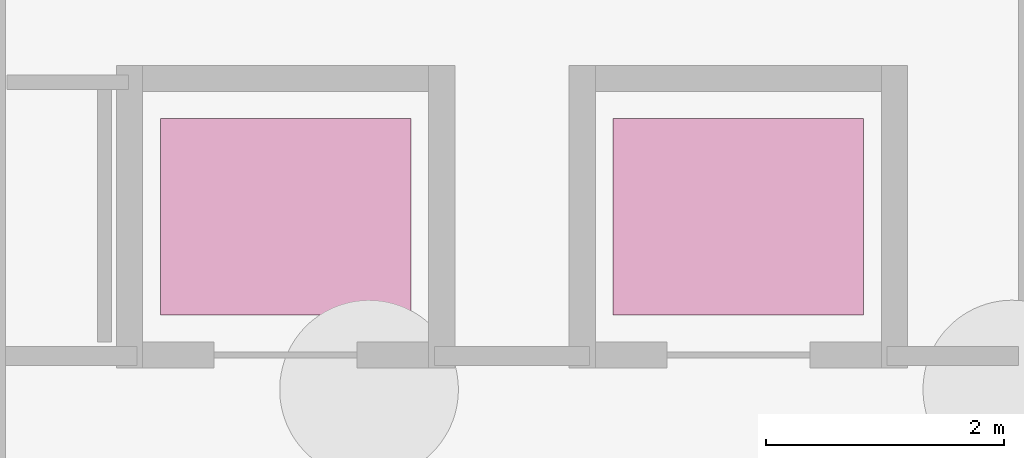
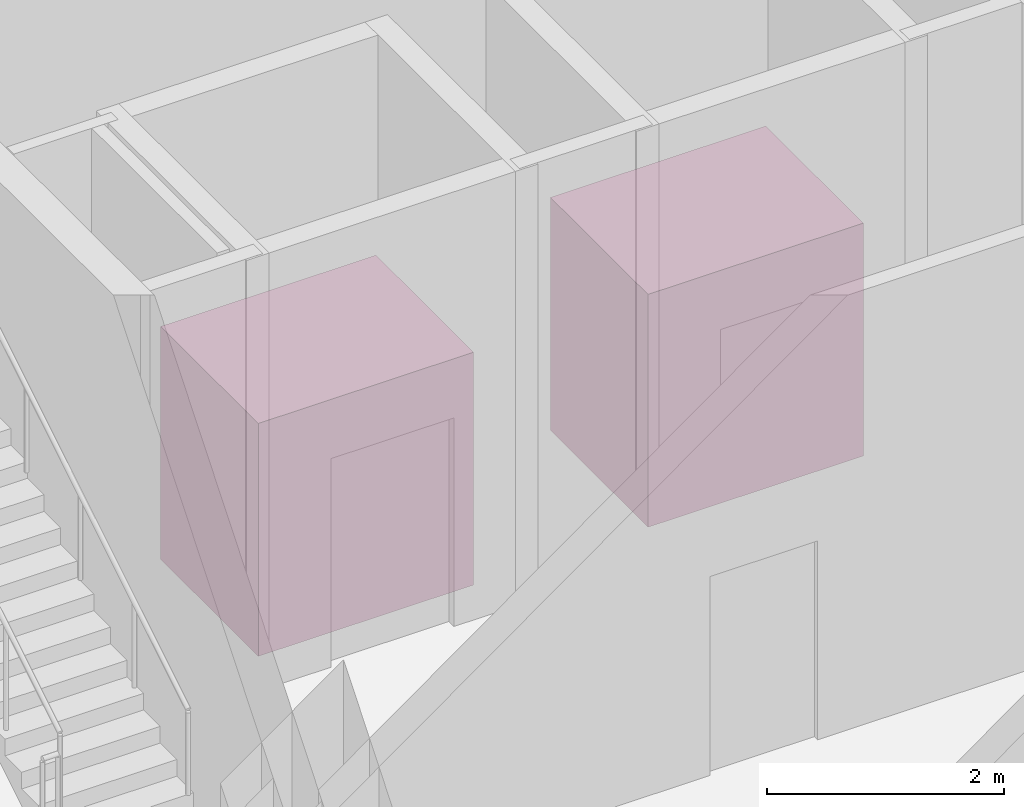
# One storey, part 8 of 8: 2 transport elements.
"""IFC4 building model written with IfcOpenShell, lengths in metres."""

import ifcopenshell
import ifcopenshell.guid

model = None  # the IFC model being written
_history = None  # IfcOwnerHistory: only IFC2X3 demands one
_inside = {}  # id of a spatial element -> (the spatial element, [elements in it])
_under = {}  # id of a project, library or spatial element -> (it, [spatial elements below it])
_declared = {}  # id of a project -> (the project, [libraries it declares])
_typed = {}  # id of a type object -> (the type object, [elements of that type])
_made_of = {}  # id of a material, layer set ... -> (it, [elements and type objects made of it])


def new_model(schema):
    """Start an empty IFC model of exactly this schema.

    Asked for "IFC4X3", IfcOpenShell would pick the latest addendum, in which some entities
    have other attributes; the version numbers below select the first issue.
    IFC2X3 requires an IfcOwnerHistory on every rooted entity: one is made here for all.
    """
    global model, _history
    if schema == "IFC4X3":
        model = ifcopenshell.file(schema_version=(4, 3, 0, 0))
    else:
        model = ifcopenshell.file(schema=schema)
    _inside.clear()
    _under.clear()
    _declared.clear()
    _typed.clear()
    _made_of.clear()
    _history = None
    if model.schema == "IFC2X3":
        org = make("IfcOrganization", Name="unknown")
        user = make(
            "IfcPersonAndOrganization",
            ThePerson=make("IfcPerson", FamilyName="unknown"),
            TheOrganization=org,
        )
        app = make(
            "IfcApplication",
            ApplicationDeveloper=org,
            Version="unknown",
            ApplicationFullName="unknown",
            ApplicationIdentifier="unknown",
        )
        _history = make(
            "IfcOwnerHistory",
            OwningUser=user,
            OwningApplication=app,
            ChangeAction="ADDED",
            CreationDate=0,
        )
    return model


def make(cls, **values):
    """One entity of the class cls with the attributes given. An attribute that is None is left unset."""
    return model.create_entity(
        cls, **{name: value for name, value in values.items() if value is not None}
    )


def rooted(cls, **values):
    """An entity with a GlobalId (a new one), such as an element, a storey or a relation."""
    return make(cls, GlobalId=ifcopenshell.guid.new(), OwnerHistory=_history, **values)


def si_unit(unit_type, name, prefix=None):
    """IfcSIUnit, for example si_unit("LENGTHUNIT", "METRE", prefix="MILLI")."""
    return make("IfcSIUnit", UnitType=unit_type, Prefix=prefix, Name=name)


def derived_unit(unit_type, elements):
    """IfcDerivedUnit: a product of units, each with its exponent."""
    return make(
        "IfcDerivedUnit",
        Elements=[
            make("IfcDerivedUnitElement", Unit=unit, Exponent=power)
            for unit, power in elements
        ],
        UnitType=unit_type,
    )


def assignment(units):
    """IfcUnitAssignment: the units of a project."""
    return None if units is None else make("IfcUnitAssignment", Units=units)


def point(xyz):
    """IfcCartesianPoint."""
    return None if xyz is None else make("IfcCartesianPoint", Coordinates=xyz)


def direction(xyz):
    """IfcDirection."""
    return None if xyz is None else make("IfcDirection", DirectionRatios=xyz)


def frame(location, z_axis=None, x_axis=None):
    """IfcAxis2Placement3D, a coordinate frame: its origin and axes. An axis left out is left unset."""
    return make(
        "IfcAxis2Placement3D",
        Location=point(location),
        Axis=direction(z_axis),
        RefDirection=direction(x_axis),
    )


def frame_2d(location, x_axis=None):
    """IfcAxis2Placement2D, a coordinate frame in the plane: its origin and x axis."""
    return make(
        "IfcAxis2Placement2D", Location=point(location), RefDirection=direction(x_axis)
    )


def origin():
    """The frame at (0, 0, 0) with its axes left unset."""
    return frame((0.0, 0.0, 0.0))


def origin_2d():
    """The frame at (0, 0) in the plane with its x axis left unset."""
    return frame_2d((0.0, 0.0))


def place(relative_to, where):
    """IfcLocalPlacement: puts the frame where relative to a parent placement (None: the world)."""
    return make(
        "IfcLocalPlacement", PlacementRelTo=relative_to, RelativePlacement=where
    )


def context(
    kind, dimensions, precision=None, world=None, true_north=None, identifier=None
):
    """IfcGeometricRepresentationContext, for example the 3D "Model" context."""
    return make(
        "IfcGeometricRepresentationContext",
        ContextIdentifier=identifier,
        ContextType=kind,
        CoordinateSpaceDimension=dimensions,
        Precision=precision,
        WorldCoordinateSystem=world,
        TrueNorth=true_north,
    )


def subcontext(parent, identifier, kind, view, scale=None):
    """IfcGeometricRepresentationSubContext, for example "Body" below "Model"."""
    return make(
        "IfcGeometricRepresentationSubContext",
        ContextIdentifier=identifier,
        ContextType=kind,
        ParentContext=parent,
        TargetScale=scale,
        TargetView=view,
    )


def project(units=None, contexts=None):
    """IfcProject with its units and contexts."""
    return rooted(
        "IfcProject",
        Name="project",
        RepresentationContexts=contexts,
        UnitsInContext=assignment(units),
    )


def spatial(cls, under=None, at=None, **own):
    """A site, building, storey or space (cls), placed at a placement, below another one or the project."""
    s = rooted(cls, ObjectPlacement=at, **own)
    if under is not None:
        _under.setdefault(under.id(), (under, []))[1].append(s)
    return s


def profile(cls, at=None, kind="AREA", **sizes):
    """A parametric profile (cls). Its sizes go by their IFC names, for example OverallWidth=200.0."""
    return make(cls, ProfileType=kind, Position=at, **sizes)


def rectangle(**sizes):
    """IfcRectangleProfileDef."""
    return profile("IfcRectangleProfileDef", **sizes)


def extrude(swept, where, along, depth):
    """IfcExtrudedAreaSolid: the profile swept, set in the frame where, extruded along a direction by depth."""
    return make(
        "IfcExtrudedAreaSolid",
        SweptArea=swept,
        Position=where,
        ExtrudedDirection=direction(along),
        Depth=depth,
    )


def shape(context_of_items, identifier, shape_type, items):
    """IfcShapeRepresentation: the items that make up one representation, for example the "Body"."""
    return make(
        "IfcShapeRepresentation",
        ContextOfItems=context_of_items,
        RepresentationIdentifier=identifier,
        RepresentationType=shape_type,
        Items=items,
    )


def material(Name=None, Category=None):
    """IfcMaterial."""
    return make("IfcMaterial", Name=Name, Category=Category)


def made_of(thing, what):
    """Note that an element or type object is made of a material, layer set ...; save() writes the relation."""
    if what is not None:
        _made_of.setdefault(what.id(), (what, []))[1].append(thing)
    return thing


def type_object(cls, material=None, **own):
    """A type object (cls), such as IfcWallType, which elements share."""
    return made_of(rooted(cls, **own), material)


def element(
    cls,
    number,
    at=None,
    inside=None,
    cuts=None,
    type_object=None,
    material=None,
    context=None,
    identifier="Body",
    shape_type=None,
    held_by="IfcProductDefinitionShape",
    body=None,
    shapes=None,
    **own,
):
    """One element of the class cls, such as IfcWall. Its Tag is "e" and its number.

    at: its placement. inside: the storey or other place that contains it. cuts: it is an
    opening in that element (IfcRelVoidsElement). A single representation is given by context,
    identifier, shape_type and body (its items); several are given by shapes. held_by: the class
    of the entity that holds the representations. save() writes the other relations.
    """
    e = rooted(cls, Tag="e%d" % number, ObjectPlacement=at, **own)
    if body is not None:
        shapes = [shape(context, identifier, shape_type, body)]
    if shapes is not None:
        e.Representation = make(held_by, Representations=shapes)
    if inside is not None:
        _inside.setdefault(inside.id(), (inside, []))[1].append(e)
    if cuts is not None:
        rooted(
            "IfcRelVoidsElement", RelatingBuildingElement=cuts, RelatedOpeningElement=e
        )
    if type_object is not None:
        _typed.setdefault(type_object.id(), (type_object, []))[1].append(e)
    return made_of(e, material)


def aggregate(whole, parts):
    """IfcRelAggregates: a whole, such as a stair, and the parts it consists of."""
    return rooted("IfcRelAggregates", RelatingObject=whole, RelatedObjects=parts)


def save(model, path):
    """Write the relations noted so far, then the file.

    IfcRelAggregates (storeys below a building ...), IfcRelContainedInSpatialStructure (elements
    in a storey), IfcRelDefinesByType, IfcRelAssociatesMaterial and IfcRelDeclares: one each for
    every whole, place, type object, material and project.
    """
    for whole, parts in _under.values():
        aggregate(whole, parts)
    for where, things in _inside.values():
        rooted(
            "IfcRelContainedInSpatialStructure",
            RelatedElements=things,
            RelatingStructure=where,
        )
    for kind, things in _typed.values():
        rooted("IfcRelDefinesByType", RelatedObjects=things, RelatingType=kind)
    for what, things in _made_of.values():
        rooted("IfcRelAssociatesMaterial", RelatedObjects=things, RelatingMaterial=what)
    for by, libraries in _declared.values():
        rooted("IfcRelDeclares", RelatingContext=by, RelatedDefinitions=libraries)
    model.write(path)


model = new_model("IFC4")

# Units and contexts
model_context = context("Model", 3, precision=1e-05, world=origin(), true_north=direction((0.0, 1.0)))
body_context = subcontext(model_context, "Body", "Model", "MODEL_VIEW")
ifc_project = project(units=[si_unit("LENGTHUNIT", "METRE"), si_unit("AREAUNIT", "SQUARE_METRE"), si_unit("VOLUMEUNIT", "CUBIC_METRE"), si_unit("PLANEANGLEUNIT", "RADIAN"), si_unit("MASSUNIT", "GRAM", prefix="KILO"), derived_unit("THERMALTRANSMITTANCEUNIT", [(si_unit("MASSUNIT", "GRAM", prefix="KILO"), 1), (si_unit("TIMEUNIT", "SECOND"), -3), (si_unit("THERMODYNAMICTEMPERATUREUNIT", "KELVIN"), -1)])], contexts=[model_context])

# Site, building, storey
site_placement = place(None, origin())
site = spatial("IfcSite", under=ifc_project, at=site_placement, CompositionType="ELEMENT")
building_placement = place(site_placement, origin())
building = spatial("IfcBuilding", under=site, at=building_placement, Name="Korrvale Station Residences", CompositionType="ELEMENT")
storey_placement = place(building_placement, frame((0.0, 0.0, -9.60009765625)))
storey = spatial("IfcBuildingStorey", under=building, at=storey_placement, Name="B02", CompositionType="ELEMENT", Elevation=-9.60009765625)

# Transport elements
ifc_material = material(Name="Fire-service stretcher traction elevator cab", Category="steel")
transport_element_type = type_object("IfcTransportElementType", Name="LFT-FIRE-2000", PredefinedType="ELEVATOR", material=ifc_material)
for number, where, z_axis, x_axis, name in (
    (1, (23.60009765625, 19.25, 0.000244140625), (0.0, 0.0, 1.0), (1.0, 0.0, 0.0), "Elevator FFL-1"),
    (2, (27.39990234375, 19.25, 0.000244140625), (0.0, 0.0, 1.0), (1.0, 0.0, 0.0), "Elevator FFL-2"),
):
    element("IfcTransportElement", number, at=place(storey_placement, frame(where, z_axis=z_axis, x_axis=x_axis)), inside=storey, type_object=transport_element_type, Name=name, PredefinedType="ELEVATOR", context=body_context, shape_type="SweptSolid", body=[
        extrude(rectangle(XDim=2.10009765625, YDim=1.64990234375, at=origin_2d()), origin(), (0.0, 0.0, 1.0), 2.39990234375),
    ])

save(model, "model.ifc")
